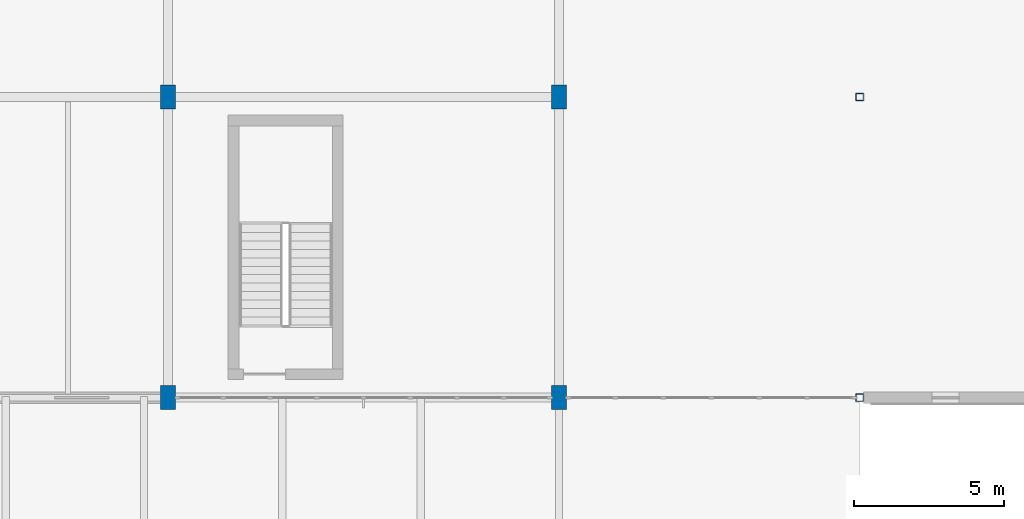
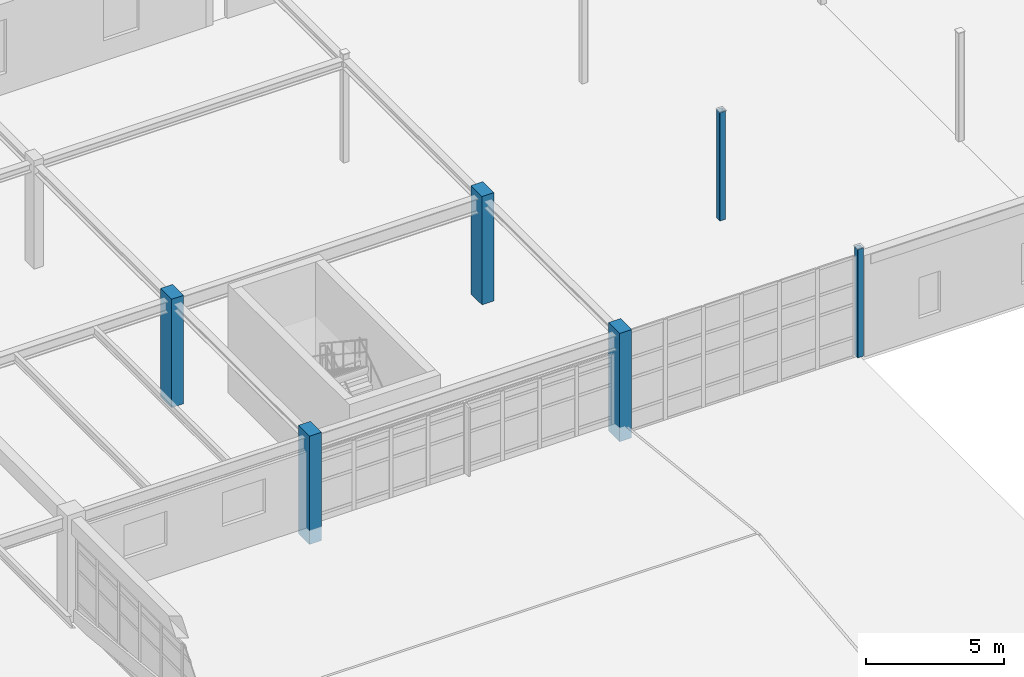
# One storey, part 3 of 139: 6 columns.
"""IFC4 building model written with IfcOpenShell, lengths in metres."""

from ifc_helpers import new_model, si_unit, direction, frame, origin, origin_2d, place, context, subcontext, project, spatial, rectangle, hollow_rectangle, extrude, material, material_profile, profile_set, type_object, element, save


model = new_model("IFC4")

# Units and contexts
model_context = context("Model", 3, precision=1e-05, world=origin(), true_north=direction((0.0, 1.0)))
body_context = subcontext(model_context, "Body", "Model", "MODEL_VIEW")
ifc_project = project(units=[si_unit("LENGTHUNIT", "METRE"), si_unit("AREAUNIT", "SQUARE_METRE"), si_unit("VOLUMEUNIT", "CUBIC_METRE"), si_unit("PLANEANGLEUNIT", "RADIAN"), si_unit("MASSUNIT", "GRAM", prefix="KILO"), si_unit("THERMODYNAMICTEMPERATUREUNIT", "KELVIN"), si_unit("POWERUNIT", "WATT")], contexts=[model_context])

# Site, building, storey
site_placement = place(None, origin())
site = spatial("IfcSite", under=ifc_project, at=site_placement, CompositionType="ELEMENT")
building_placement = place(site_placement, origin())
building = spatial("IfcBuilding", under=site, at=building_placement, Name="Korenveer Ferry Terminal", CompositionType="ELEMENT")
storey_placement = place(building_placement, frame((0.0, 0.0, 5.39990234375)))
storey = spatial("IfcBuildingStorey", under=building, at=storey_placement, Name="L01", CompositionType="ELEMENT", Elevation=5.39990234375)

# Columns
ifc_material_1 = material(Name="Concrete C45/55", Category="concrete")
ifc_material_profile_1 = material_profile(ifc_material_1, rectangle(XDim=0.5, YDim=0.800048828125, at=origin_2d()), Name="RC 500x800")
ifc_profile_set_1 = profile_set([ifc_material_profile_1], Name="Concrete C45/55")
column_type_1 = type_object("IfcColumnType", Name="STR-COL-RC500X800", PredefinedType="COLUMN", material=ifc_profile_set_1)
for number, where, z_axis, x_axis, name in (
    (1, (40.0, 20.0, 0.0), (0.0, 0.0, 1.0), (1.0, 0.0, 0.0), "Column COL-L01-X40-Y20"),
    (2, (40.0, 30.0, 0.0), (0.0, 0.0, 1.0), (1.0, 0.0, 0.0), "Column COL-L01-X40-Y30"),
    (3, (53.0, 20.0, 0.0), (0.0, 0.0, 1.0), (1.0, 0.0, 0.0), "Column COL-L01-X53-Y20"),
    (4, (53.0, 30.0, 0.0), (0.0, 0.0, 1.0), (1.0, 0.0, 0.0), "Column COL-L01-X53-Y30"),
):
    element("IfcColumn", number, at=place(storey_placement, frame(where, z_axis=z_axis, x_axis=x_axis)), inside=storey, type_object=column_type_1, Name=name, PredefinedType="COLUMN", context=body_context, shape_type="SweptSolid", body=[
        extrude(rectangle(XDim=0.5, YDim=0.800048828125, at=origin_2d()), origin(), (0.0, 0.0, 1.0), 4.800048828125),
    ])
ifc_material_2 = material(Name="Steel S355", Category="steel")
ifc_material_profile_2 = material_profile(ifc_material_2, hollow_rectangle(XDim=0.25, YDim=0.25, WallThickness=0.012451171875, InnerFilletRadius=0.012451171875, OuterFilletRadius=0.018798828125, at=origin_2d()), Name="SHS 250x250x12.5")
ifc_profile_set_2 = profile_set([ifc_material_profile_2], Name="Steel S355")
column_type_2 = type_object("IfcColumnType", Name="STR-COL-SHS250", PredefinedType="COLUMN", material=ifc_profile_set_2)
for number, where, z_axis, x_axis, name in (
    (5, (63.0, 20.0, 0.0), (0.0, 0.0, 1.0), (1.0, 0.0, 0.0), "Column COL-L01-X63-Y20"),
    (6, (63.0, 30.0, 0.0), (0.0, 0.0, 1.0), (1.0, 0.0, 0.0), "Column COL-L01-X63-Y30"),
):
    element("IfcColumn", number, at=place(storey_placement, frame(where, z_axis=z_axis, x_axis=x_axis)), inside=storey, type_object=column_type_2, Name=name, PredefinedType="COLUMN", context=body_context, shape_type="SweptSolid", body=[
        extrude(hollow_rectangle(XDim=0.25, YDim=0.25, WallThickness=0.012451171875, InnerFilletRadius=0.012451171875, OuterFilletRadius=0.018798828125, at=origin_2d()), origin(), (0.0, 0.0, 1.0), 4.800048828125),
    ])

save(model, "model.ifc")
